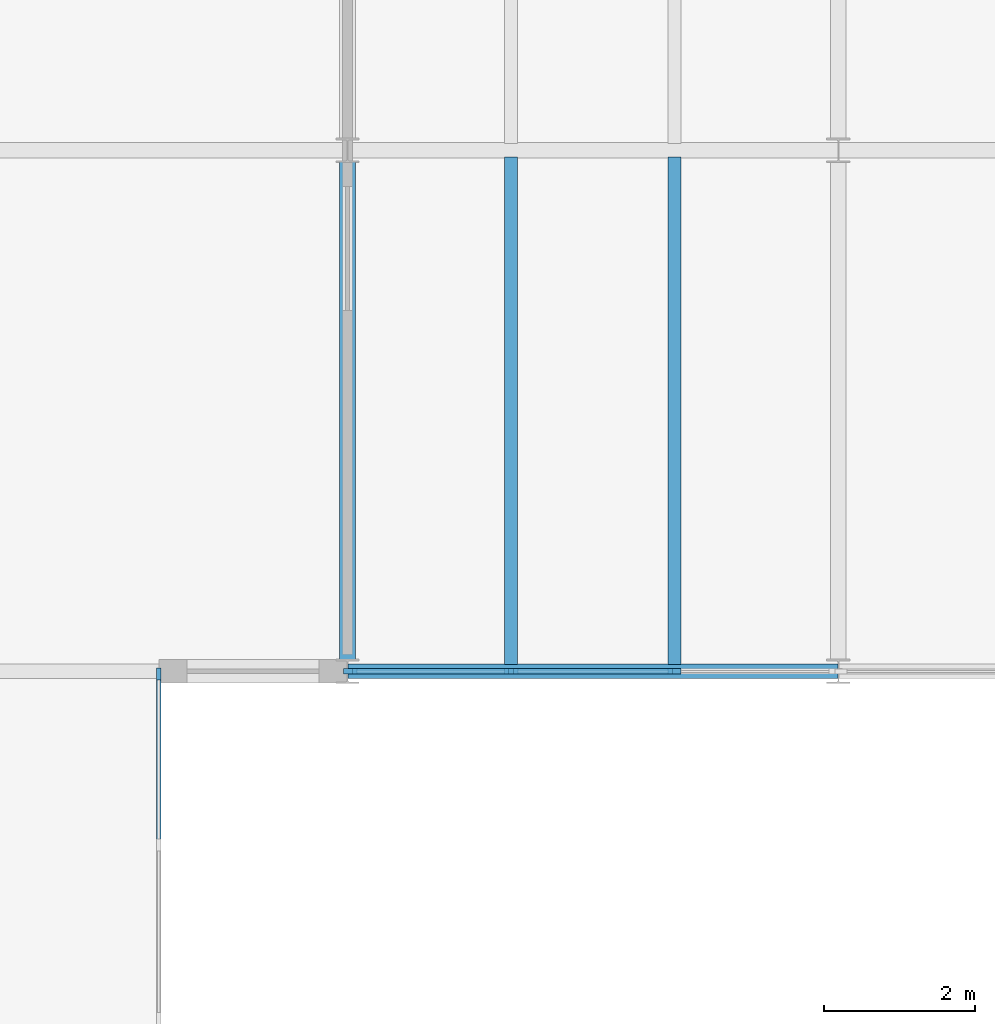
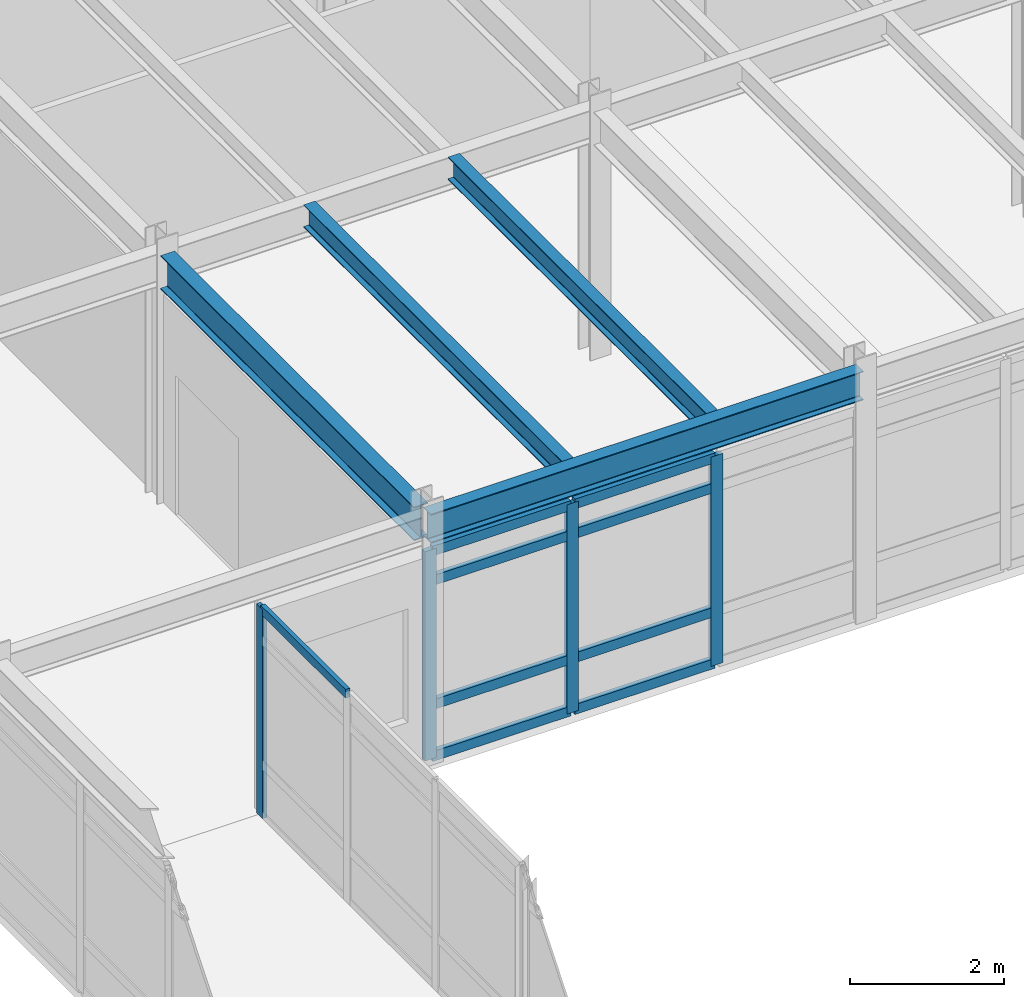
# One storey, part 74 of 144: 13 members, 4 beams, 2 elements without a shape of their own.
"""IFC4 building model written with IfcOpenShell, lengths in metres."""

from ifc_helpers import new_model, si_unit, direction, frame, origin, origin_2d, place, context, subcontext, project, spatial, rectangle, i_section, extrude, material, layer, layer_set, material_profile, profile_set, type_object, element, aggregate, save


model = new_model("IFC4")

# Units and contexts
model_context = context("Model", 3, precision=1e-05, world=origin(), true_north=direction((0.0, 1.0)))
body_context = subcontext(model_context, "Body", "Model", "MODEL_VIEW")
ifc_project = project(units=[si_unit("LENGTHUNIT", "METRE"), si_unit("AREAUNIT", "SQUARE_METRE"), si_unit("VOLUMEUNIT", "CUBIC_METRE"), si_unit("PLANEANGLEUNIT", "RADIAN"), si_unit("MASSUNIT", "GRAM", prefix="KILO")], contexts=[model_context])

# Site, building, storey
site_placement = place(None, origin())
site = spatial("IfcSite", under=ifc_project, at=site_placement, CompositionType="ELEMENT")
building_placement = place(site_placement, origin())
building = spatial("IfcBuilding", under=site, at=building_placement, Name="Trelmorton Wharf Fire Station", CompositionType="ELEMENT")
storey_placement = place(building_placement, frame((0.0, 0.0, 5.39990234375)))
storey = spatial("IfcBuildingStorey", under=building, at=storey_placement, Name="L01", CompositionType="ELEMENT", Elevation=5.39990234375)

# Beam
ifc_material_1 = material(Name="Steel Grade 350", Category="steel")
ifc_material_profile_1 = material_profile(ifc_material_1, i_section(OverallWidth=0.208984375, OverallDepth=0.532958984375, WebThickness=0.01025390625, FlangeThickness=0.015625, FilletRadius=0.013916015625, at=origin_2d()), Name="530UB92.4")
ifc_profile_set_1 = profile_set([ifc_material_profile_1], Name="Steel Grade 350")
beam_type_1 = type_object("IfcBeamType", Name="BM_530UB92", PredefinedType="BEAM", material=ifc_profile_set_1)
beam_1_placement = place(storey_placement, frame((123.5, 60.45654296875, 3.66357421875), z_axis=(0.0, 1.0, 0.0), x_axis=(-1.0, 0.0, 0.0)))
element("IfcBeam", 1, at=beam_1_placement, inside=storey, type_object=beam_type_1, Name="BM-L01-0643", PredefinedType="BEAM", context=body_context, shape_type="SweptSolid", body=[
    extrude(i_section(OverallWidth=0.208984375, OverallDepth=0.532958984375, WebThickness=0.01025390625, FlangeThickness=0.015625, FilletRadius=0.013916015625, at=origin_2d()), origin(), (0.0, 0.0, 1.0), 6.5869140625),
])

# Curtain wall, member
ifc_material_2 = material(Name="Anodised aluminium AW-6063", Category="aluminium")
ifc_layer_1 = layer(ifc_material_2, 0.139892578125)
ifc_layer_set_1 = layer_set([ifc_layer_1], Name="Anodised aluminium AW-6063")
curtain_wall_type_1 = type_object("IfcCurtainWallType", Name="CW_BRDG_A", PredefinedType="USERDEFINED", material=ifc_layer_set_1)
curtain_wall_1_placement = place(storey_placement, origin())
curtain_wall_1 = element("IfcCurtainWall", 2, at=curtain_wall_1_placement, inside=storey, type_object=curtain_wall_type_1, Name="CW-BR-L01-167", ObjectType="UNITISED CURTAIN WALL", PredefinedType="USERDEFINED")
ifc_material_profile_2 = material_profile(ifc_material_2, rectangle(XDim=0.06494140625, YDim=0.159912109375, at=origin_2d()), Name="ALU-65x160")
ifc_profile_set_2 = profile_set([ifc_material_profile_2], Name="Anodised aluminium AW-6063")
member_type_1 = type_object("IfcMemberType", Name="CWM_65x160", PredefinedType="MULLION", material=ifc_profile_set_2)
member_1_placement = place(storey_placement, frame((121.0, 60.264892578125, 0.0), z_axis=(0.0, 0.0, 1.0), x_axis=(1.0, 0.0, 0.0)))
member_1 = element("IfcMember", 3, at=member_1_placement, type_object=member_type_1, Name="CW4 mullion 1", PredefinedType="MULLION", context=body_context, shape_type="SweptSolid", body=[
    extrude(rectangle(XDim=0.06494140625, YDim=0.159912109375, at=origin_2d()), origin(), (0.0, 0.0, 1.0), 3.320068359375),
])

# Curtain wall, members
ifc_layer_2 = layer(ifc_material_2, 0.159912109375)
ifc_layer_set_2 = layer_set([ifc_layer_2], Name="Anodised aluminium AW-6063")
curtain_wall_type_2 = type_object("IfcCurtainWallType", Name="CW_CHIC_A", PredefinedType="USERDEFINED", material=ifc_layer_set_2)
curtain_wall_2_placement = place(storey_placement, origin())
curtain_wall_2 = element("IfcCurtainWall", 4, at=curtain_wall_2_placement, inside=storey, type_object=curtain_wall_type_2, Name="CW-V4-L01-124", ObjectType="CHICAGO BAY CURTAIN WALL", PredefinedType="USERDEFINED")
ifc_material_profile_3 = material_profile(ifc_material_2, rectangle(XDim=0.074951171875, YDim=0.175048828125, at=origin_2d()), Name="ALU-75x175")
ifc_profile_set_3 = profile_set([ifc_material_profile_3], Name="Anodised aluminium AW-6063")
member_type_2 = type_object("IfcMemberType", Name="CWM_75x175", PredefinedType="MULLION", material=ifc_profile_set_3)
member_2_placement = place(storey_placement, frame((127.831787109375, 60.300048828125, 0.0), z_axis=(0.0, 0.0, 1.0), x_axis=(0.0, -1.0, 0.0)))
member_2 = element("IfcMember", 5, at=member_2_placement, type_object=member_type_2, Name="CW1 mullion 2", PredefinedType="MULLION", context=body_context, shape_type="SweptSolid", body=[
    extrude(rectangle(XDim=0.074951171875, YDim=0.175048828125, at=origin_2d()), origin(), (0.0, 0.0, 1.0), 3.320068359375),
])
member_3_placement = place(storey_placement, frame((125.668212890625, 60.300048828125, 0.0), z_axis=(0.0, 0.0, 1.0), x_axis=(0.0, -1.0, 0.0)))
member_3 = element("IfcMember", 6, at=member_3_placement, type_object=member_type_2, Name="CW1 mullion 3", PredefinedType="MULLION", context=body_context, shape_type="SweptSolid", body=[
    extrude(rectangle(XDim=0.074951171875, YDim=0.175048828125, at=origin_2d()), origin(), (0.0, 0.0, 1.0), 3.320068359375),
])
member_4_placement = place(storey_placement, frame((123.534912109375, 60.300048828125, 0.0), z_axis=(0.0, 0.0, 1.0), x_axis=(0.0, -1.0, 0.0)))
member_4 = element("IfcMember", 7, at=member_4_placement, type_object=member_type_2, Name="CW1 mullion 4", PredefinedType="MULLION", context=body_context, shape_type="SweptSolid", body=[
    extrude(rectangle(XDim=0.074951171875, YDim=0.175048828125, at=origin_2d()), origin(), (0.0, 0.0, 1.0), 3.320068359375),
])

# Member
ifc_material_profile_4 = material_profile(ifc_material_2, rectangle(XDim=0.06494140625, YDim=0.139892578125, at=origin_2d()), Name="ALU-65x140")
ifc_profile_set_4 = profile_set([ifc_material_profile_4], Name="Anodised aluminium AW-6063")
member_type_3 = type_object("IfcMemberType", Name="CWT_65x140", PredefinedType="USERDEFINED", material=ifc_profile_set_4)
member_5_placement = place(storey_placement, frame((121.0, 60.235107421875, 3.2900390625), z_axis=(0.0, -1.0, 0.0), x_axis=(1.0, 0.0, 0.0)))
member_5 = element("IfcMember", 8, at=member_5_placement, type_object=member_type_3, Name="CW4 transom 1.4", ObjectType="TRANSOM", PredefinedType="USERDEFINED", context=body_context, shape_type="SweptSolid", body=[
    extrude(rectangle(XDim=0.06494140625, YDim=0.139892578125, at=origin_2d()), origin(), (0.0, 0.0, 1.0), 2.206787109375),
])

aggregate(curtain_wall_1, [member_1, member_5])

ifc_material_profile_5 = material_profile(ifc_material_2, rectangle(XDim=0.074951171875, YDim=0.155029296875, at=origin_2d()), Name="ALU-75x155")
ifc_profile_set_5 = profile_set([ifc_material_profile_5], Name="Anodised aluminium AW-6063")
member_type_4 = type_object("IfcMemberType", Name="CWT_75x155", PredefinedType="USERDEFINED", material=ifc_profile_set_5)
member_6_placement = place(storey_placement, frame((127.8017578125, 60.300048828125, 0.030029296875), z_axis=(-1.0, 0.0, 0.0), x_axis=(0.0, -1.0, 0.0)))
member_6 = element("IfcMember", 9, at=member_6_placement, type_object=member_type_4, Name="CW1 transom 2.1", ObjectType="TRANSOM", PredefinedType="USERDEFINED", context=body_context, shape_type="SweptSolid", body=[
    extrude(rectangle(XDim=0.074951171875, YDim=0.155029296875, at=origin_2d()), origin(), (0.0, 0.0, 1.0), 2.103515625),
])

member_7_placement = place(storey_placement, frame((127.8017578125, 60.300048828125, 0.85009765625), z_axis=(-1.0, 0.0, 0.0), x_axis=(0.0, -1.0, 0.0)))
member_7 = element("IfcMember", 10, at=member_7_placement, type_object=member_type_4, Name="CW1 transom 2.2", ObjectType="TRANSOM", PredefinedType="USERDEFINED", context=body_context, shape_type="SweptSolid", body=[
    extrude(rectangle(XDim=0.074951171875, YDim=0.155029296875, at=origin_2d()), origin(), (0.0, 0.0, 1.0), 2.103515625),
])

member_8_placement = place(storey_placement, frame((127.8017578125, 60.300048828125, 2.820068359375), z_axis=(-1.0, 0.0, 0.0), x_axis=(0.0, -1.0, 0.0)))
member_8 = element("IfcMember", 11, at=member_8_placement, type_object=member_type_4, Name="CW1 transom 2.3", ObjectType="TRANSOM", PredefinedType="USERDEFINED", context=body_context, shape_type="SweptSolid", body=[
    extrude(rectangle(XDim=0.074951171875, YDim=0.155029296875, at=origin_2d()), origin(), (0.0, 0.0, 1.0), 2.103515625),
])

member_9_placement = place(storey_placement, frame((127.8017578125, 60.300048828125, 3.2900390625), z_axis=(-1.0, 0.0, 0.0), x_axis=(0.0, -1.0, 0.0)))
member_9 = element("IfcMember", 12, at=member_9_placement, type_object=member_type_4, Name="CW1 transom 2.4", ObjectType="TRANSOM", PredefinedType="USERDEFINED", context=body_context, shape_type="SweptSolid", body=[
    extrude(rectangle(XDim=0.074951171875, YDim=0.155029296875, at=origin_2d()), origin(), (0.0, 0.0, 1.0), 2.103515625),
])

member_10_placement = place(storey_placement, frame((125.638427734375, 60.300048828125, 0.030029296875), z_axis=(-1.0, 0.0, 0.0), x_axis=(0.0, -1.0, 0.0)))
member_10 = element("IfcMember", 13, at=member_10_placement, type_object=member_type_4, Name="CW1 transom 3.1", ObjectType="TRANSOM", PredefinedType="USERDEFINED", context=body_context, shape_type="SweptSolid", body=[
    extrude(rectangle(XDim=0.074951171875, YDim=0.155029296875, at=origin_2d()), origin(), (0.0, 0.0, 1.0), 2.073486328125),
])

member_11_placement = place(storey_placement, frame((125.638427734375, 60.300048828125, 0.85009765625), z_axis=(-1.0, 0.0, 0.0), x_axis=(0.0, -1.0, 0.0)))
member_11 = element("IfcMember", 14, at=member_11_placement, type_object=member_type_4, Name="CW1 transom 3.2", ObjectType="TRANSOM", PredefinedType="USERDEFINED", context=body_context, shape_type="SweptSolid", body=[
    extrude(rectangle(XDim=0.074951171875, YDim=0.155029296875, at=origin_2d()), origin(), (0.0, 0.0, 1.0), 2.073486328125),
])

member_12_placement = place(storey_placement, frame((125.638427734375, 60.300048828125, 2.820068359375), z_axis=(-1.0, 0.0, 0.0), x_axis=(0.0, -1.0, 0.0)))
member_12 = element("IfcMember", 15, at=member_12_placement, type_object=member_type_4, Name="CW1 transom 3.3", ObjectType="TRANSOM", PredefinedType="USERDEFINED", context=body_context, shape_type="SweptSolid", body=[
    extrude(rectangle(XDim=0.074951171875, YDim=0.155029296875, at=origin_2d()), origin(), (0.0, 0.0, 1.0), 2.073486328125),
])

member_13_placement = place(storey_placement, frame((125.638427734375, 60.300048828125, 3.2900390625), z_axis=(-1.0, 0.0, 0.0), x_axis=(0.0, -1.0, 0.0)))
member_13 = element("IfcMember", 16, at=member_13_placement, type_object=member_type_4, Name="CW1 transom 3.4", ObjectType="TRANSOM", PredefinedType="USERDEFINED", context=body_context, shape_type="SweptSolid", body=[
    extrude(rectangle(XDim=0.074951171875, YDim=0.155029296875, at=origin_2d()), origin(), (0.0, 0.0, 1.0), 2.073486328125),
])

aggregate(curtain_wall_2, [member_2, member_3, member_4, member_6, member_7, member_8, member_9, member_10, member_11, member_12, member_13])

# Beams
ifc_material_profile_6 = material_profile(ifc_material_1, i_section(OverallWidth=0.172119140625, OverallDepth=0.35888671875, WebThickness=0.008056640625, FlangeThickness=0.012939453125, FilletRadius=0.011474609375, at=origin_2d()), Name="360UB56.7")
ifc_profile_set_6 = profile_set([ifc_material_profile_6], Name="Steel Grade 350")
beam_type_2 = type_object("IfcBeamType", Name="JS_360UB57", PredefinedType="JOIST", material=ifc_profile_set_6)
for number, where, z_axis, x_axis, name in (
    (17, (125.666748046875, 60.389892578125, 3.75048828125), (0.0, 1.0, 0.0), (-1.0, 0.0, 0.0), "JS-L01-0175"),
    (18, (127.833251953125, 60.389892578125, 3.75048828125), (0.0, 1.0, 0.0), (-1.0, 0.0, 0.0), "JS-L01-0176"),
):
    element("IfcBeam", number, at=place(storey_placement, frame(where, z_axis=z_axis, x_axis=x_axis)), inside=storey, type_object=beam_type_2, Name=name, PredefinedType="JOIST", context=body_context, shape_type="SweptSolid", body=[
        extrude(i_section(OverallWidth=0.172119140625, OverallDepth=0.35888671875, WebThickness=0.008056640625, FlangeThickness=0.012939453125, FilletRadius=0.011474609375, at=origin_2d()), origin(), (0.0, 0.0, 1.0), 6.72021484375),
    ])
ifc_material_profile_7 = material_profile(ifc_material_1, i_section(OverallWidth=0.18994140625, OverallDepth=0.45703125, WebThickness=0.009033203125, FlangeThickness=0.014404296875, FilletRadius=0.011474609375, at=origin_2d()), Name="460UB74.6")
ifc_profile_set_7 = profile_set([ifc_material_profile_7], Name="Steel Grade 350")
beam_type_3 = type_object("IfcBeamType", Name="SP_460UB75", PredefinedType="SPANDREL", material=ifc_profile_set_7)
beam_2_placement = place(storey_placement, frame((123.5048828125, 60.300048828125, 3.70166015625), z_axis=(1.0, 0.0, 0.0), x_axis=(0.0, 1.0, 0.0)))
element("IfcBeam", 19, at=beam_2_placement, inside=storey, type_object=beam_type_3, Name="BM-L01-0500", PredefinedType="SPANDREL", context=body_context, shape_type="SweptSolid", body=[
    extrude(i_section(OverallWidth=0.18994140625, OverallDepth=0.45703125, WebThickness=0.009033203125, FlangeThickness=0.014404296875, FilletRadius=0.011474609375, at=origin_2d()), origin(), (0.0, 0.0, 1.0), 6.490234375),
])

save(model, "model.ifc")
